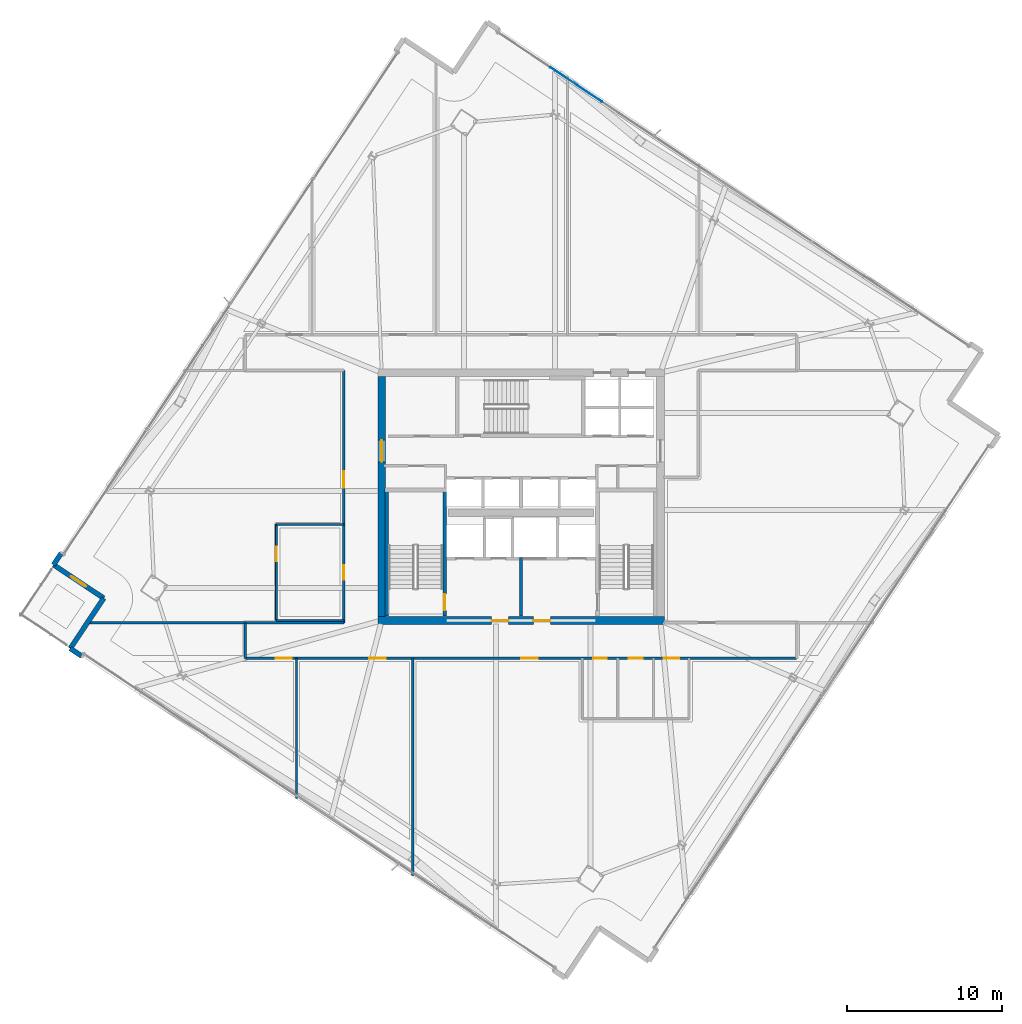
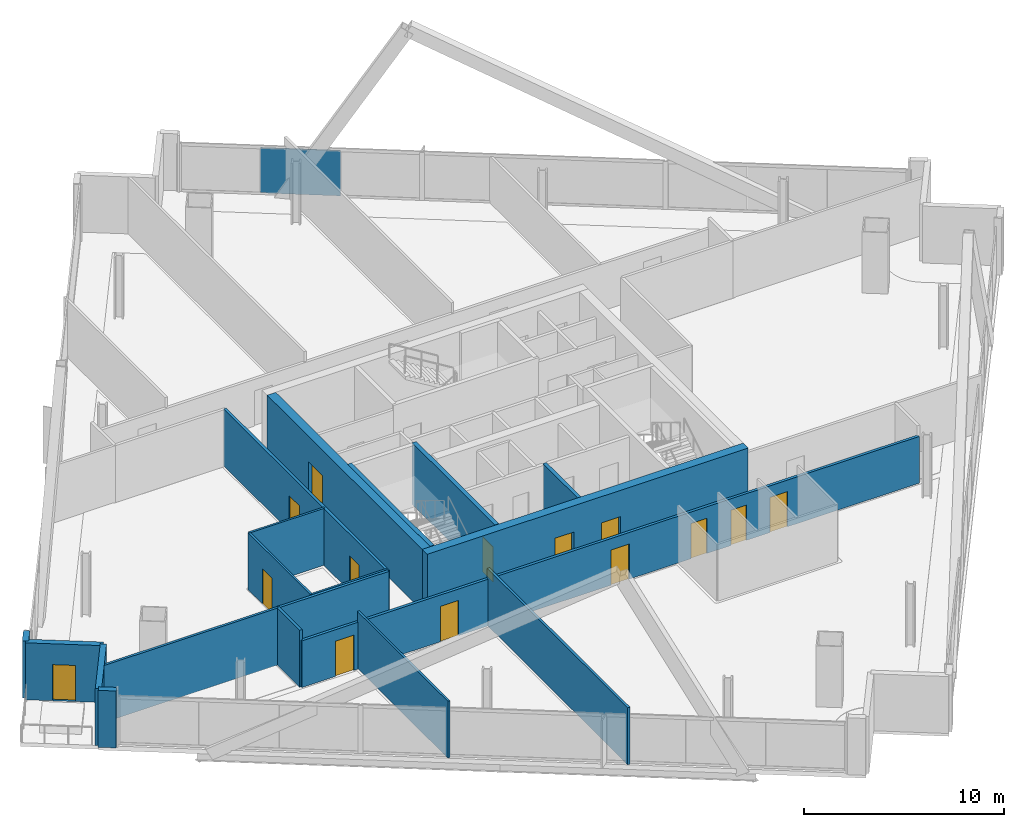
# One storey, part 24 of 32: 19 walls, 14 doors, 1 plate, 14 openings, 1 element without a shape of its own.
"""IFC4 building model written with IfcOpenShell, lengths in metres."""

from ifc_helpers import new_model, si_unit, direction, frame, frame_2d, origin, origin_2d, place, context, subcontext, project, spatial, rectangle, extrude, source, transform, mapped, material, layer, layer_set, type_object, element, fill, aggregate, save


model = new_model("IFC4")

# Units and contexts
model_context = context("Model", 3, precision=1e-05, world=origin(), true_north=direction((0.0, 1.0)))
body_context = subcontext(model_context, "Body", "Model", "MODEL_VIEW")
ifc_project = project(units=[si_unit("LENGTHUNIT", "METRE"), si_unit("AREAUNIT", "SQUARE_METRE"), si_unit("VOLUMEUNIT", "CUBIC_METRE"), si_unit("PLANEANGLEUNIT", "RADIAN"), si_unit("MASSUNIT", "GRAM", prefix="KILO")], contexts=[model_context])

# Site, building, storey
site_placement = place(None, origin())
site = spatial("IfcSite", under=ifc_project, at=site_placement, CompositionType="ELEMENT")
building_placement = place(site_placement, origin())
building = spatial("IfcBuilding", under=site, at=building_placement, Name="Haldenkirk Collegiate Tower", CompositionType="ELEMENT")
storey_placement = place(building_placement, frame((0.0, 0.0, 217.199951171875)))
storey = spatial("IfcBuildingStorey", under=building, at=storey_placement, Name="L54", CompositionType="ELEMENT", Elevation=217.199951171875)

# Curtain wall, plate
ifc_material_1 = material(Name="Anodised architectural bronze aluminium", Category="aluminium")
curtain_wall_type = type_object("IfcCurtainWallType", Name="CW-SYS1B-CONVEX-HI", PredefinedType="USERDEFINED", material=ifc_material_1)
curtain_wall_placement = place(storey_placement, origin())
curtain_wall = element("IfcCurtainWall", 1, at=curtain_wall_placement, inside=storey, type_object=curtain_wall_type, Name="L54 Upper tower high-wind convex bronze unitised curtain wall", ObjectType="UNITISED CURTAIN WALL", PredefinedType="USERDEFINED")
ifc_material_2 = material(Name="Bronze-anodised insulated aluminium spandrel panel", Category="aluminium")
ifc_layer_1 = layer(ifc_material_2, 0.048095703125)
ifc_layer_set_1 = layer_set([ifc_layer_1], Name="Bronze-anodised insulated aluminium spandrel panel")
plate_type = type_object("IfcPlateType", Name="CW-SPD-1B", PredefinedType="CURTAIN_PANEL", material=ifc_layer_set_1)
shared_shape = source(origin(), body_context, "Body", "SweptSolid", [
    extrude(rectangle(XDim=3.999267578125, YDim=0.048095703125, at=origin_2d()), origin(), (0.0, 0.0, 1.0), 2.758056640625),
])
plate_placement = place(storey_placement, frame((39.560302734375, 52.605224609375, 0.0849609375), z_axis=(0.0, 0.0, 1.0), x_axis=(0.832437648012, -0.554118725701, 0.0)))
plate = element("IfcPlate", 2, at=plate_placement, type_object=plate_type, Name="CW-1B spandrel panel 1.1b", PredefinedType="CURTAIN_PANEL", context=body_context, shape_type="MappedRepresentation", body=[
    mapped(shared_shape, transform((0.0, 0.0, 0.0), x_axis=(1.0, 0.0, 0.0), y_axis=(0.0, 1.0, 0.0), z_axis=(0.0, 0.0, 1.0), scale=1.0)),
])
aggregate(curtain_wall, [plate])

# Wall, openings, doors
ifc_material_3 = material(Name="Concrete f'c 55 MPa", Category="concrete")
ifc_layer_2 = layer(ifc_material_3, 0.5)
ifc_layer_set_2 = layer_set([ifc_layer_2], Name="Concrete f'c 55 MPa")
wall_type_1 = type_object("IfcWallType", Name="WL-CORE-500", PredefinedType="SHEAR", material=ifc_layer_set_2)
wall_1_placement = place(storey_placement, frame((26.75, 18.0, 0.0), z_axis=(0.0, 0.0, 1.0), x_axis=(1.0, 0.0, 0.0)))
wall_1 = element("IfcWall", 3, at=wall_1_placement, inside=storey, type_object=wall_type_1, Name="L54 central core shear wall S", PredefinedType="SHEAR", context=body_context, shape_type="SweptSolid", body=[
    extrude(rectangle(XDim=18.5, YDim=0.5, at=frame_2d((9.25, 0.0))), origin(), (0.0, 0.0, 1.0), 3.75),
])
opening_1_placement = place(wall_1_placement, frame((7.35009765625, 0.0, 0.0)))
opening_1 = element("IfcOpeningElement", 4, at=opening_1_placement, cuts=wall_1, Name="Opening D-02", PredefinedType="OPENING", context=body_context, shape_type="SweptSolid", body=[
    extrude(rectangle(XDim=1.10009765625, YDim=2.14990234375, at=frame_2d((0.550048828125, 1.074951171875))), frame((0.0, 0.260009765625, 0.0), z_axis=(0.0, -1.0, 0.0), x_axis=(1.0, 0.0, 0.0)), (0.0, 0.0, 1.0), 0.52001953125),
])
opening_2_placement = place(wall_1_placement, frame((10.050048828125, 0.0, 0.0)))
opening_2 = element("IfcOpeningElement", 5, at=opening_2_placement, cuts=wall_1, Name="Opening D-02", PredefinedType="OPENING", context=body_context, shape_type="SweptSolid", body=[
    extrude(rectangle(XDim=1.10009765625, YDim=2.14990234375, at=frame_2d((0.550048828125, 1.074951171875))), frame((0.0, 0.260009765625, 0.0), z_axis=(0.0, -1.0, 0.0), x_axis=(1.0, 0.0, 0.0)), (0.0, 0.0, 1.0), 0.52001953125),
])
ifc_material_4 = material(Name="Galvanized fire-rated hollow steel door", Category="steel")
ifc_layer_3 = layer(ifc_material_4, 0.06005859375)
ifc_layer_set_3 = layer_set([ifc_layer_3], Name="Galvanized fire-rated hollow steel door")
door_type_1 = type_object("IfcDoorType", Name="DR-STAIR-FD90-1100", OperationType="NOTDEFINED", PredefinedType="DOOR", material=ifc_layer_set_3)
door_1_placement = place(opening_1_placement, origin())
door_1 = element("IfcDoor", 6, at=door_1_placement, inside=storey, type_object=door_type_1, Name="L54 Firefighting Lobby 1 door", OperationType="SINGLE_SWING_RIGHT", OverallHeight=2.14990234375, OverallWidth=1.10009765625, PredefinedType="DOOR", context=body_context, shape_type="SweptSolid", body=[
    extrude(rectangle(XDim=1.10009765625, YDim=2.14990234375, at=frame_2d((0.550048828125, 1.074951171875))), frame((0.0, 0.02490234375, 0.0), z_axis=(0.0, -1.0, 0.0), x_axis=(1.0, 0.0, 0.0)), (0.0, 0.0, 1.0), 0.050048828125),
])
fill(opening_1, door_1)
door_2_placement = place(opening_2_placement, origin())
door_2 = element("IfcDoor", 7, at=door_2_placement, inside=storey, type_object=door_type_1, Name="L54 Firefighting Lobby 2 door", OperationType="SINGLE_SWING_LEFT", OverallHeight=2.14990234375, OverallWidth=1.10009765625, PredefinedType="DOOR", context=body_context, shape_type="SweptSolid", body=[
    extrude(rectangle(XDim=1.10009765625, YDim=2.14990234375, at=frame_2d((0.550048828125, 1.074951171875))), frame((0.0, 0.02490234375, 0.0), z_axis=(0.0, -1.0, 0.0), x_axis=(1.0, 0.0, 0.0)), (0.0, 0.0, 1.0), 0.050048828125),
])
fill(opening_2, door_2)

# Wall, opening, door
wall_2_placement = place(storey_placement, frame((27.0, 18.25, 0.0), z_axis=(0.0, 0.0, 1.0), x_axis=(0.0, 1.0, 0.0)))
wall_2 = element("IfcWall", 8, at=wall_2_placement, inside=storey, type_object=wall_type_1, Name="L54 central core shear wall W", PredefinedType="SHEAR", context=body_context, shape_type="SweptSolid", body=[
    extrude(rectangle(XDim=15.5, YDim=0.5, at=frame_2d((7.75, 0.0))), origin(), (0.0, 0.0, 1.0), 3.75),
])
opening_3_placement = place(wall_2_placement, frame((9.989990234375, 0.0, 0.0)))
opening_3 = element("IfcOpeningElement", 9, at=opening_3_placement, cuts=wall_2, Name="Opening D-03", PredefinedType="OPENING", context=body_context, shape_type="SweptSolid", body=[
    extrude(rectangle(XDim=1.39990234375, YDim=2.199951171875, at=frame_2d((0.699951171875, 1.10009765625))), frame((0.0, 0.260009765625, 0.0), z_axis=(0.0, -1.0, 0.0), x_axis=(1.0, 0.0, 0.0)), (0.0, 0.0, 1.0), 0.52001953125),
])
ifc_layer_4 = layer(ifc_material_4, 0.06005859375)
ifc_layer_set_4 = layer_set([ifc_layer_4], Name="Galvanized fire-rated hollow steel door")
door_type_2 = type_object("IfcDoorType", Name="DR-LOBBY-FD90-1400", OperationType="NOTDEFINED", PredefinedType="DOOR", material=ifc_layer_set_4)
door_3_placement = place(opening_3_placement, origin())
door_3 = element("IfcDoor", 10, at=door_3_placement, inside=storey, type_object=door_type_2, Name="L54 west lift lobby portal", OperationType="DOUBLE_DOOR_SINGLE_SWING", OverallHeight=2.199951171875, OverallWidth=1.39990234375, PredefinedType="DOOR", context=body_context, shape_type="SweptSolid", body=[
    extrude(rectangle(XDim=1.39990234375, YDim=2.199951171875, at=frame_2d((0.699951171875, 1.10009765625))), frame((0.0, 0.02490234375, 0.0), z_axis=(0.0, -1.0, 0.0), x_axis=(1.0, 0.0, 0.0)), (0.0, 0.0, 1.0), 0.050048828125),
])
fill(opening_3, door_3)

# Wall
ifc_material_5 = material(Name="Precast concrete f'c 40 MPa", Category="concrete")
ifc_layer_5 = layer(ifc_material_5, 0.320068359375)
ifc_layer_set_5 = layer_set([ifc_layer_5], Name="Precast concrete f'c 40 MPa")
wall_type_2 = type_object("IfcWallType", Name="WL-EXT-TWR-320", PredefinedType="STANDARD", material=ifc_layer_set_5)
wall_3_placement = place(storey_placement, frame((5.799560546875, 21.5966796875, 0.0), z_axis=(0.0, 0.0, 1.0), x_axis=(0.554136731172, 0.832425662246, 0.0)))
element("IfcWall", 11, at=wall_3_placement, inside=storey, type_object=wall_type_2, Name="L54 precast corner pier NL", PredefinedType="STANDARD", context=body_context, shape_type="SweptSolid", body=[
    extrude(rectangle(XDim=0.900146484375, YDim=0.320068359375, at=frame_2d((0.4501953125, 0.0))), origin(), (0.0, 0.0, 1.0), 3.469970703125),
])

# Wall, opening, door
wall_4_placement = place(storey_placement, frame((9.046142578125, 19.435791015625, 0.0), z_axis=(0.0, 0.0, 1.0), x_axis=(-0.832464190202, 0.554078850013, 0.0)))
wall_4 = element("IfcWall", 12, at=wall_4_placement, inside=storey, type_object=wall_type_2, Name="L54 bronze precast notch wall 08", PredefinedType="STANDARD", context=body_context, shape_type="SweptSolid", body=[
    extrude(rectangle(XDim=3.89990234375, YDim=0.320068359375, at=frame_2d((1.949951171875, 0.0))), origin(), (0.0, 0.0, 1.0), 3.469970703125),
])
opening_4_placement = place(wall_4_placement, frame((1.375, 0.0, 0.0)))
opening_4 = element("IfcOpeningElement", 13, at=opening_4_placement, cuts=wall_4, Name="Opening D-ST11", PredefinedType="OPENING", context=body_context, shape_type="SweptSolid", body=[
    extrude(rectangle(XDim=1.14990234375, YDim=2.199951171875, at=frame_2d((0.574951171875, 1.10009765625))), frame((0.0, 0.169921875, 0.0), z_axis=(0.0, -1.0, 0.0), x_axis=(1.0, 0.0, 0.0)), (0.0, 0.0, 1.0), 0.340087890625),
])
ifc_layer_6 = layer(ifc_material_1, 0.080078125)
ifc_layer_set_6 = layer_set([ifc_layer_6], Name="Anodised architectural bronze aluminium")
door_type_3 = type_object("IfcDoorType", Name="DR-EXT-STER-1150", OperationType="NOTDEFINED", PredefinedType="DOOR", material=ifc_layer_set_6)
door_4_placement = place(opening_4_placement, origin())
door_4 = element("IfcDoor", 14, at=door_4_placement, inside=storey, type_object=door_type_3, Name="L54 spiralling terrace door", OperationType="SINGLE_SWING_LEFT", OverallHeight=2.199951171875, OverallWidth=1.14990234375, PredefinedType="DOOR", context=body_context, shape_type="SweptSolid", body=[
    extrude(rectangle(XDim=1.14990234375, YDim=2.199951171875, at=frame_2d((0.574951171875, 1.10009765625))), frame((0.0, 0.02490234375, 0.0), z_axis=(0.0, -1.0, 0.0), x_axis=(1.0, 0.0, 0.0)), (0.0, 0.0, 1.0), 0.050048828125),
])
fill(opening_4, door_4)

# Walls
wall_5_placement = place(storey_placement, frame((6.885009765625, 16.189208984375, 0.0), z_axis=(0.0, 0.0, 1.0), x_axis=(0.554122229834, 0.832435315447, 0.0)))
element("IfcWall", 15, at=wall_5_placement, inside=storey, type_object=wall_type_2, Name="L54 bronze precast notch wall 09", PredefinedType="STANDARD", context=body_context, shape_type="SweptSolid", body=[
    extrude(rectangle(XDim=3.900146484375, YDim=0.320068359375, at=frame_2d((1.9501953125, 0.0))), origin(), (0.0, 0.0, 1.0), 3.469970703125),
])
wall_6_placement = place(storey_placement, frame((7.63427734375, 15.6904296875, 0.0), z_axis=(0.0, 0.0, 1.0), x_axis=(-0.832425662246, 0.554136731172, 0.0)))
element("IfcWall", 16, at=wall_6_placement, inside=storey, type_object=wall_type_2, Name="L54 precast corner pier WR", PredefinedType="STANDARD", context=body_context, shape_type="SweptSolid", body=[
    extrude(rectangle(XDim=0.900146484375, YDim=0.320068359375, at=frame_2d((0.4501953125, 0.0))), origin(), (0.0, 0.0, 1.0), 3.469970703125),
])

# Wall, openings, doors
ifc_material_6 = material(Name="Acoustic fire-rated gypsum partition", Category="concrete")
ifc_layer_7 = layer(ifc_material_6, 0.159912109375)
ifc_layer_set_7 = layer_set([ifc_layer_7], Name="Acoustic fire-rated gypsum partition")
wall_type_3 = type_object("IfcWallType", Name="WL-INT-CORR-160", PredefinedType="PARTITIONING", material=ifc_layer_set_7)
wall_7_placement = place(storey_placement, frame((18.199951171875, 15.550048828125, 0.0), z_axis=(0.0, 0.0, 1.0), x_axis=(1.0, 0.0, 0.0)))
wall_7 = element("IfcWall", 17, at=wall_7_placement, inside=storey, type_object=wall_type_3, Name="L54 interior partition IW-L54-CS", PredefinedType="PARTITIONING", context=body_context, shape_type="SweptSolid", body=[
    extrude(rectangle(XDim=35.60009765625, YDim=0.159912109375, at=frame_2d((17.800048828125, 0.0))), origin(), (0.0, 0.0, 1.0), 2.84912109375),
])
opening_5_placement = place(wall_7_placement, frame((22.449951171875, 0.0, 0.0)))
opening_5 = element("IfcOpeningElement", 18, at=opening_5_placement, cuts=wall_7, Name="Opening D-13", PredefinedType="OPENING", context=body_context, shape_type="SweptSolid", body=[
    extrude(rectangle(XDim=0.89990234375, YDim=2.14990234375, at=frame_2d((0.449951171875, 1.074951171875))), frame((0.0, 0.08984375, 0.0), z_axis=(0.0, -1.0, 0.0), x_axis=(1.0, 0.0, 0.0)), (0.0, 0.0, 1.0), 0.179931640625),
])
opening_6_placement = place(wall_7_placement, frame((24.75, 0.0, 0.0)))
opening_6 = element("IfcOpeningElement", 19, at=opening_6_placement, cuts=wall_7, Name="Opening D-13", PredefinedType="OPENING", context=body_context, shape_type="SweptSolid", body=[
    extrude(rectangle(XDim=0.89990234375, YDim=2.14990234375, at=frame_2d((0.449951171875, 1.074951171875))), frame((0.0, 0.08984375, 0.0), z_axis=(0.0, -1.0, 0.0), x_axis=(1.0, 0.0, 0.0)), (0.0, 0.0, 1.0), 0.179931640625),
])
opening_7_placement = place(wall_7_placement, frame((27.0, 0.0, 0.0)))
opening_7 = element("IfcOpeningElement", 20, at=opening_7_placement, cuts=wall_7, Name="Opening D-14", PredefinedType="OPENING", context=body_context, shape_type="SweptSolid", body=[
    extrude(rectangle(XDim=1.0, YDim=2.14990234375, at=frame_2d((0.5, 1.074951171875))), frame((0.0, 0.08984375, 0.0), z_axis=(0.0, -1.0, 0.0), x_axis=(1.0, 0.0, 0.0)), (0.0, 0.0, 1.0), 0.179931640625),
])
opening_8_placement = place(wall_7_placement, frame((1.945068359375, 0.0, 0.0)))
opening_8 = element("IfcOpeningElement", 21, at=opening_8_placement, cuts=wall_7, Name="Opening D-09", PredefinedType="OPENING", context=body_context, shape_type="SweptSolid", body=[
    extrude(rectangle(XDim=1.050048828125, YDim=2.14990234375, at=frame_2d((0.52490234375, 1.074951171875))), frame((0.0, 0.08984375, 0.0), z_axis=(0.0, -1.0, 0.0), x_axis=(1.0, 0.0, 0.0)), (0.0, 0.0, 1.0), 0.179931640625),
])
opening_9_placement = place(wall_7_placement, frame((7.9951171875, 0.0, 0.0)))
opening_9 = element("IfcOpeningElement", 22, at=opening_9_placement, cuts=wall_7, Name="Opening D-09", PredefinedType="OPENING", context=body_context, shape_type="SweptSolid", body=[
    extrude(rectangle(XDim=1.050048828125, YDim=2.14990234375, at=frame_2d((0.52490234375, 1.074951171875))), frame((0.0, 0.08984375, 0.0), z_axis=(0.0, -1.0, 0.0), x_axis=(1.0, 0.0, 0.0)), (0.0, 0.0, 1.0), 0.179931640625),
])
opening_10_placement = place(wall_7_placement, frame((17.826904296875, 0.0, 0.0)))
opening_10 = element("IfcOpeningElement", 23, at=opening_10_placement, cuts=wall_7, Name="Opening D-09", PredefinedType="OPENING", context=body_context, shape_type="SweptSolid", body=[
    extrude(rectangle(XDim=1.050048828125, YDim=2.14990234375, at=frame_2d((0.52490234375, 1.074951171875))), frame((0.0, 0.08984375, 0.0), z_axis=(0.0, -1.0, 0.0), x_axis=(1.0, 0.0, 0.0)), (0.0, 0.0, 1.0), 0.179931640625),
])
ifc_material_7 = material(Name="Solid-core architectural oak fire door", Category="wood")
ifc_layer_8 = layer(ifc_material_7, 0.06005859375)
ifc_layer_set_8 = layer_set([ifc_layer_8], Name="Solid-core architectural oak fire door")
door_type_4 = type_object("IfcDoorType", Name="DR-INT-ACC-1000", OperationType="NOTDEFINED", PredefinedType="DOOR", material=ifc_layer_set_8)
door_5_placement = place(opening_7_placement, origin())
door_5 = element("IfcDoor", 24, at=door_5_placement, inside=storey, type_object=door_type_4, Name="L54 Accessible WC door", OperationType="SINGLE_SWING_LEFT", OverallHeight=2.14990234375, OverallWidth=1.0, PredefinedType="DOOR", context=body_context, shape_type="SweptSolid", body=[
    extrude(rectangle(XDim=1.0, YDim=2.14990234375, at=frame_2d((0.5, 1.074951171875))), frame((0.0, 0.02490234375, 0.0), z_axis=(0.0, -1.0, 0.0), x_axis=(1.0, 0.0, 0.0)), (0.0, 0.0, 1.0), 0.050048828125),
])
fill(opening_7, door_5)
ifc_layer_9 = layer(ifc_material_7, 0.06005859375)
ifc_layer_set_9 = layer_set([ifc_layer_9], Name="Solid-core architectural oak fire door")
door_type_5 = type_object("IfcDoorType", Name="DR-INT-FD60-1050", OperationType="NOTDEFINED", PredefinedType="DOOR", material=ifc_layer_set_9)
door_6_placement = place(opening_8_placement, origin())
door_6 = element("IfcDoor", 25, at=door_6_placement, inside=storey, type_object=door_type_5, Name="L54 Student Wellness Clinic 1 door", OperationType="SINGLE_SWING_RIGHT", OverallHeight=2.14990234375, OverallWidth=1.050048828125, PredefinedType="DOOR", context=body_context, shape_type="SweptSolid", body=[
    extrude(rectangle(XDim=1.050048828125, YDim=2.14990234375, at=frame_2d((0.52490234375, 1.074951171875))), frame((0.0, 0.02490234375, 0.0), z_axis=(0.0, -1.0, 0.0), x_axis=(1.0, 0.0, 0.0)), (0.0, 0.0, 1.0), 0.050048828125),
])
fill(opening_8, door_6)
door_7_placement = place(opening_9_placement, origin())
door_7 = element("IfcDoor", 26, at=door_7_placement, inside=storey, type_object=door_type_5, Name="L54 Academic Counseling Clinic 2 door", OperationType="SINGLE_SWING_LEFT", OverallHeight=2.14990234375, OverallWidth=1.050048828125, PredefinedType="DOOR", context=body_context, shape_type="SweptSolid", body=[
    extrude(rectangle(XDim=1.050048828125, YDim=2.14990234375, at=frame_2d((0.52490234375, 1.074951171875))), frame((0.0, 0.02490234375, 0.0), z_axis=(0.0, -1.0, 0.0), x_axis=(1.0, 0.0, 0.0)), (0.0, 0.0, 1.0), 0.050048828125),
])
fill(opening_9, door_7)
door_8_placement = place(opening_10_placement, origin())
door_8 = element("IfcDoor", 27, at=door_8_placement, inside=storey, type_object=door_type_5, Name="L54 Health Triage Clinic 3 door", OperationType="SINGLE_SWING_RIGHT", OverallHeight=2.14990234375, OverallWidth=1.050048828125, PredefinedType="DOOR", context=body_context, shape_type="SweptSolid", body=[
    extrude(rectangle(XDim=1.050048828125, YDim=2.14990234375, at=frame_2d((0.52490234375, 1.074951171875))), frame((0.0, 0.02490234375, 0.0), z_axis=(0.0, -1.0, 0.0), x_axis=(1.0, 0.0, 0.0)), (0.0, 0.0, 1.0), 0.050048828125),
])
fill(opening_10, door_8)
ifc_layer_10 = layer(ifc_material_7, 0.06005859375)
ifc_layer_set_10 = layer_set([ifc_layer_10], Name="Solid-core architectural oak fire door")
door_type_6 = type_object("IfcDoorType", Name="DR-INT-STD-900", OperationType="NOTDEFINED", PredefinedType="DOOR", material=ifc_layer_set_10)
door_9_placement = place(opening_5_placement, origin())
door_9 = element("IfcDoor", 28, at=door_9_placement, inside=storey, type_object=door_type_6, Name="L54 Male WC door", OperationType="SINGLE_SWING_LEFT", OverallHeight=2.14990234375, OverallWidth=0.89990234375, PredefinedType="DOOR", context=body_context, shape_type="SweptSolid", body=[
    extrude(rectangle(XDim=0.89990234375, YDim=2.14990234375, at=frame_2d((0.449951171875, 1.074951171875))), frame((0.0, 0.02490234375, 0.0), z_axis=(0.0, -1.0, 0.0), x_axis=(1.0, 0.0, 0.0)), (0.0, 0.0, 1.0), 0.050048828125),
])
fill(opening_5, door_9)
door_10_placement = place(opening_6_placement, origin())
door_10 = element("IfcDoor", 29, at=door_10_placement, inside=storey, type_object=door_type_6, Name="L54 Female WC door", OperationType="SINGLE_SWING_RIGHT", OverallHeight=2.14990234375, OverallWidth=0.89990234375, PredefinedType="DOOR", context=body_context, shape_type="SweptSolid", body=[
    extrude(rectangle(XDim=0.89990234375, YDim=2.14990234375, at=frame_2d((0.449951171875, 1.074951171875))), frame((0.0, 0.02490234375, 0.0), z_axis=(0.0, -1.0, 0.0), x_axis=(1.0, 0.0, 0.0)), (0.0, 0.0, 1.0), 0.050048828125),
])
fill(opening_6, door_10)

# Wall
wall_8_placement = place(storey_placement, frame((18.199951171875, 17.85009765625, 0.0), z_axis=(0.0, 0.0, 1.0), x_axis=(1.0, 0.0, 0.0)))
element("IfcWall", 30, at=wall_8_placement, inside=storey, type_object=wall_type_3, Name="L54 interior partition IW-L54-CSW", PredefinedType="PARTITIONING", context=body_context, shape_type="SweptSolid", body=[
    extrude(rectangle(XDim=6.35009765625, YDim=0.159912109375, at=frame_2d((3.175048828125, 0.0))), origin(), (0.0, 0.0, 1.0), 3.469970703125),
])

# Wall, openings, doors
wall_9_placement = place(storey_placement, frame((24.550048828125, 17.85009765625, 0.0), z_axis=(0.0, 0.0, 1.0), x_axis=(0.0, 1.0, 0.0)))
wall_9 = element("IfcWall", 31, at=wall_9_placement, inside=storey, type_object=wall_type_3, Name="L54 interior partition IW-L54-CW", PredefinedType="PARTITIONING", context=body_context, shape_type="SweptSolid", body=[
    extrude(rectangle(XDim=16.2998046875, YDim=0.159912109375, at=frame_2d((8.14990234375, 0.0))), origin(), (0.0, 0.0, 1.0), 3.469970703125),
])
opening_11_placement = place(wall_9_placement, frame((2.77490234375, 0.0, 0.0)))
opening_11 = element("IfcOpeningElement", 32, at=opening_11_placement, cuts=wall_9, Name="Opening D-10", PredefinedType="OPENING", context=body_context, shape_type="SweptSolid", body=[
    extrude(rectangle(XDim=0.949951171875, YDim=2.14990234375, at=frame_2d((0.47509765625, 1.074951171875))), frame((0.0, 0.08984375, 0.0), z_axis=(0.0, -1.0, 0.0), x_axis=(1.0, 0.0, 0.0)), (0.0, 0.0, 1.0), 0.179931640625),
])
opening_12_placement = place(wall_9_placement, frame((8.72900390625, 0.0, 0.0)))
opening_12 = element("IfcOpeningElement", 33, at=opening_12_placement, cuts=wall_9, Name="Opening D-09", PredefinedType="OPENING", context=body_context, shape_type="SweptSolid", body=[
    extrude(rectangle(XDim=1.050048828125, YDim=2.14990234375, at=frame_2d((0.52490234375, 1.074951171875))), frame((0.0, 0.08984375, 0.0), z_axis=(0.0, -1.0, 0.0), x_axis=(1.0, 0.0, 0.0)), (0.0, 0.0, 1.0), 0.179931640625),
])
door_11_placement = place(opening_12_placement, origin())
door_11 = element("IfcDoor", 34, at=door_11_placement, inside=storey, type_object=door_type_5, Name="L54 Health Triage Clinic 9 door", OperationType="SINGLE_SWING_RIGHT", OverallHeight=2.14990234375, OverallWidth=1.050048828125, PredefinedType="DOOR", context=body_context, shape_type="SweptSolid", body=[
    extrude(rectangle(XDim=1.050048828125, YDim=2.14990234375, at=frame_2d((0.52490234375, 1.074951171875))), frame((0.0, 0.02490234375, 0.0), z_axis=(0.0, -1.0, 0.0), x_axis=(1.0, 0.0, 0.0)), (0.0, 0.0, 1.0), 0.050048828125),
])
fill(opening_12, door_11)
ifc_layer_11 = layer(ifc_material_7, 0.06005859375)
ifc_layer_set_11 = layer_set([ifc_layer_11], Name="Solid-core architectural oak fire door")
door_type_7 = type_object("IfcDoorType", Name="DR-INT-FD60-950", OperationType="NOTDEFINED", PredefinedType="DOOR", material=ifc_layer_set_11)
door_12_placement = place(opening_11_placement, origin())
door_12 = element("IfcDoor", 35, at=door_12_placement, inside=storey, type_object=door_type_7, Name="L54 West Faculty Tutorial Pod corridor door", OperationType="SINGLE_SWING_RIGHT", OverallHeight=2.14990234375, OverallWidth=0.949951171875, PredefinedType="DOOR", context=body_context, shape_type="SweptSolid", body=[
    extrude(rectangle(XDim=0.949951171875, YDim=2.14990234375, at=frame_2d((0.47509765625, 1.074951171875))), frame((0.0, 0.02490234375, 0.0), z_axis=(0.0, -1.0, 0.0), x_axis=(1.0, 0.0, 0.0)), (0.0, 0.0, 1.0), 0.050048828125),
])
fill(opening_11, door_12)

# Walls
wall_10_placement = place(storey_placement, frame((18.199951171875, 15.550048828125, 0.0), z_axis=(0.0, 0.0, 1.0), x_axis=(0.0, 1.0, 0.0)))
element("IfcWall", 36, at=wall_10_placement, inside=storey, type_object=wall_type_3, Name="L54 interior partition IW-L54-CSL", PredefinedType="PARTITIONING", context=body_context, shape_type="SweptSolid", body=[
    extrude(rectangle(XDim=2.300048828125, YDim=0.159912109375, at=frame_2d((1.14990234375, 0.0))), origin(), (0.0, 0.0, 1.0), 3.469970703125),
])
ifc_layer_12 = layer(ifc_material_6, 0.139892578125)
ifc_layer_set_12 = layer_set([ifc_layer_12], Name="Acoustic fire-rated gypsum partition")
wall_type_4 = type_object("IfcWallType", Name="WL-INT-DIV-140", PredefinedType="PARTITIONING", material=ifc_layer_set_12)
wall_11_placement = place(storey_placement, frame((8.038818359375, 17.85009765625, 0.0), z_axis=(0.0, 0.0, 1.0), x_axis=(1.0, 0.0, 0.0)))
element("IfcWall", 37, at=wall_11_placement, inside=storey, type_object=wall_type_4, Name="L54 interior partition IW-L54-BWS", PredefinedType="PARTITIONING", context=body_context, shape_type="SweptSolid", body=[
    extrude(rectangle(XDim=10.1611328125, YDim=0.139892578125, at=frame_2d((5.08056640625, 0.0))), origin(), (0.0, 0.0, 1.0), 3.469970703125),
])
wall_12_placement = place(storey_placement, frame((29.0, 1.516357421875, 0.0), z_axis=(0.0, 0.0, 1.0), x_axis=(0.0, 1.0, 0.0)))
element("IfcWall", 38, at=wall_12_placement, inside=storey, type_object=wall_type_4, Name="L54 interior partition IW-L54-RS2", PredefinedType="PARTITIONING", context=body_context, shape_type="SweptSolid", body=[
    extrude(rectangle(XDim=14.03369140625, YDim=0.139892578125, at=frame_2d((7.016845703125, 0.0))), origin(), (0.0, 0.0, 1.0), 3.469970703125),
])
ifc_material_8 = material(Name="Fire-rated gypsum shaftboard assembly", Category="concrete")
ifc_layer_13 = layer(ifc_material_8, 0.199951171875)
ifc_layer_set_13 = layer_set([ifc_layer_13], Name="Fire-rated gypsum shaftboard assembly")
wall_type_5 = type_object("IfcWallType", Name="WL-INT-SHAFT-200", PredefinedType="PARTITIONING", material=ifc_layer_set_13)
wall_13_placement = place(storey_placement, frame((36.0, 18.280029296875, 0.0), z_axis=(0.0, 0.0, 1.0), x_axis=(0.0, 1.0, 0.0)))
element("IfcWall", 39, at=wall_13_placement, inside=storey, type_object=wall_type_5, Name="L54 interior partition IW-L54-FFLM", PredefinedType="PARTITIONING", context=body_context, shape_type="SweptSolid", body=[
    extrude(rectangle(XDim=3.77001953125, YDim=0.199951171875, at=frame_2d((1.885009765625, 0.0))), origin(), (0.0, 0.0, 1.0), 3.469970703125),
])
ifc_layer_14 = layer(ifc_material_6, 0.1201171875)
ifc_layer_set_14 = layer_set([ifc_layer_14], Name="Acoustic fire-rated gypsum partition")
wall_type_6 = type_object("IfcWallType", Name="WL-INT-WET-120", PredefinedType="PARTITIONING", material=ifc_layer_set_14)
wall_14_placement = place(storey_placement, frame((21.5, 6.5087890625, 0.0), z_axis=(0.0, 0.0, 1.0), x_axis=(0.0, 1.0, 0.0)))
element("IfcWall", 40, at=wall_14_placement, inside=storey, type_object=wall_type_6, Name="L54 interior partition IW-L54-RS1", PredefinedType="PARTITIONING", context=body_context, shape_type="SweptSolid", body=[
    extrude(rectangle(XDim=9.041259765625, YDim=0.1201171875, at=frame_2d((4.5205078125, 0.0))), origin(), (0.0, 0.0, 1.0), 3.469970703125),
])
wall_15_placement = place(storey_placement, frame((20.199951171875, 18.0, 0.0), z_axis=(0.0, 0.0, 1.0), x_axis=(1.0, 0.0, 0.0)))
element("IfcWall", 41, at=wall_15_placement, inside=storey, type_object=wall_type_6, Name="L54 interior partition IW-L54-SUBWS", PredefinedType="PARTITIONING", context=body_context, shape_type="SweptSolid", body=[
    extrude(rectangle(XDim=4.35009765625, YDim=0.1201171875, at=frame_2d((2.175048828125, 0.0))), origin(), (0.0, 0.0, 1.0), 3.469970703125),
])

# Wall, opening, door
wall_16_placement = place(storey_placement, frame((20.199951171875, 18.0, 0.0), z_axis=(0.0, 0.0, 1.0), x_axis=(0.0, 1.0, 0.0)))
wall_16 = element("IfcWall", 42, at=wall_16_placement, inside=storey, type_object=wall_type_6, Name="L54 interior partition IW-L54-SUBW", PredefinedType="PARTITIONING", context=body_context, shape_type="SweptSolid", body=[
    extrude(rectangle(XDim=6.199951171875, YDim=0.1201171875, at=frame_2d((3.10009765625, 0.0))), origin(), (0.0, 0.0, 1.0), 3.469970703125),
])
opening_13_placement = place(wall_16_placement, frame((3.824951171875, 0.0, 0.0)))
opening_13 = element("IfcOpeningElement", 43, at=opening_13_placement, cuts=wall_16, Name="Opening D-12", PredefinedType="OPENING", context=body_context, shape_type="SweptSolid", body=[
    extrude(rectangle(XDim=0.949951171875, YDim=2.14990234375, at=frame_2d((0.47509765625, 1.074951171875))), frame((0.0, 0.070068359375, 0.0), z_axis=(0.0, -1.0, 0.0), x_axis=(1.0, 0.0, 0.0)), (0.0, 0.0, 1.0), 0.14013671875),
])
ifc_layer_15 = layer(ifc_material_7, 0.06005859375)
ifc_layer_set_15 = layer_set([ifc_layer_15], Name="Solid-core architectural oak fire door")
door_type_8 = type_object("IfcDoorType", Name="DR-INT-STD-950", OperationType="NOTDEFINED", PredefinedType="DOOR", material=ifc_layer_set_15)
door_13_placement = place(opening_13_placement, origin())
door_13 = element("IfcDoor", 44, at=door_13_placement, inside=storey, type_object=door_type_8, Name="L54 West Faculty Tutorial Pod suite door", OperationType="SINGLE_SWING_LEFT", OverallHeight=2.14990234375, OverallWidth=0.949951171875, PredefinedType="DOOR", context=body_context, shape_type="SweptSolid", body=[
    extrude(rectangle(XDim=0.949951171875, YDim=2.14990234375, at=frame_2d((0.47509765625, 1.074951171875))), frame((0.0, 0.02490234375, 0.0), z_axis=(0.0, -1.0, 0.0), x_axis=(1.0, 0.0, 0.0)), (0.0, 0.0, 1.0), 0.050048828125),
])
fill(opening_13, door_13)

# Wall
wall_17_placement = place(storey_placement, frame((20.199951171875, 24.199951171875, 0.0), z_axis=(0.0, 0.0, 1.0), x_axis=(1.0, 0.0, 0.0)))
element("IfcWall", 45, at=wall_17_placement, inside=storey, type_object=wall_type_6, Name="L54 interior partition IW-L54-SUBWN", PredefinedType="PARTITIONING", context=body_context, shape_type="SweptSolid", body=[
    extrude(rectangle(XDim=4.35009765625, YDim=0.1201171875, at=frame_2d((2.175048828125, 0.0))), origin(), (0.0, 0.0, 1.0), 3.469970703125),
])

# Wall, opening, door
ifc_layer_16 = layer(ifc_material_3, 0.239990234375)
ifc_layer_set_16 = layer_set([ifc_layer_16], Name="Concrete f'c 55 MPa")
wall_type_7 = type_object("IfcWallType", Name="WL-SHAFT-240", PredefinedType="SHEAR", material=ifc_layer_set_16)
wall_18_placement = place(storey_placement, frame((31.070068359375, 18.280029296875, 0.0), z_axis=(0.0, 0.0, 1.0), x_axis=(0.0, 1.0, 0.0)))
wall_18 = element("IfcWall", 46, at=wall_18_placement, inside=storey, type_object=wall_type_7, Name="L54 stair shaft shear wall SW-L54-ST1E", PredefinedType="SHEAR", context=body_context, shape_type="SweptSolid", body=[
    extrude(rectangle(XDim=8.260009765625, YDim=0.239990234375, at=frame_2d((4.1298828125, 0.0))), origin(), (0.0, 0.0, 1.0), 3.75),
])
opening_14_placement = place(wall_18_placement, frame((0.364990234375, 0.0, 0.0)))
opening_14 = element("IfcOpeningElement", 47, at=opening_14_placement, cuts=wall_18, Name="Opening D-01", PredefinedType="OPENING", context=body_context, shape_type="SweptSolid", body=[
    extrude(rectangle(XDim=1.050048828125, YDim=2.14990234375, at=frame_2d((0.52490234375, 1.074951171875))), frame((0.0, 0.1298828125, 0.0), z_axis=(0.0, -1.0, 0.0), x_axis=(1.0, 0.0, 0.0)), (0.0, 0.0, 1.0), 0.260009765625),
])
ifc_layer_17 = layer(ifc_material_4, 0.06005859375)
ifc_layer_set_17 = layer_set([ifc_layer_17], Name="Galvanized fire-rated hollow steel door")
door_type_9 = type_object("IfcDoorType", Name="DR-STAIR-FD90-1050", OperationType="NOTDEFINED", PredefinedType="DOOR", material=ifc_layer_set_17)
door_14_placement = place(opening_14_placement, origin())
door_14 = element("IfcDoor", 48, at=door_14_placement, inside=storey, type_object=door_type_9, Name="L54 Stair 1 door", OperationType="SINGLE_SWING_LEFT", OverallHeight=2.14990234375, OverallWidth=1.050048828125, PredefinedType="DOOR", context=body_context, shape_type="SweptSolid", body=[
    extrude(rectangle(XDim=1.050048828125, YDim=2.14990234375, at=frame_2d((0.52490234375, 1.074951171875))), frame((0.0, 0.02490234375, 0.0), z_axis=(0.0, -1.0, 0.0), x_axis=(1.0, 0.0, 0.0)), (0.0, 0.0, 1.0), 0.050048828125),
])
fill(opening_14, door_14)

# Wall
wall_19_placement = place(storey_placement, frame((27.330078125, 18.280029296875, 0.0), z_axis=(0.0, 0.0, 1.0), x_axis=(0.0, 1.0, 0.0)))
element("IfcWall", 49, at=wall_19_placement, inside=storey, type_object=wall_type_7, Name="L54 stair shaft shear wall SW-L54-ST1W", PredefinedType="SHEAR", context=body_context, shape_type="SweptSolid", body=[
    extrude(rectangle(XDim=8.260009765625, YDim=0.239990234375, at=frame_2d((4.1298828125, 0.0))), origin(), (0.0, 0.0, 1.0), 3.75),
])

save(model, "model.ifc")
